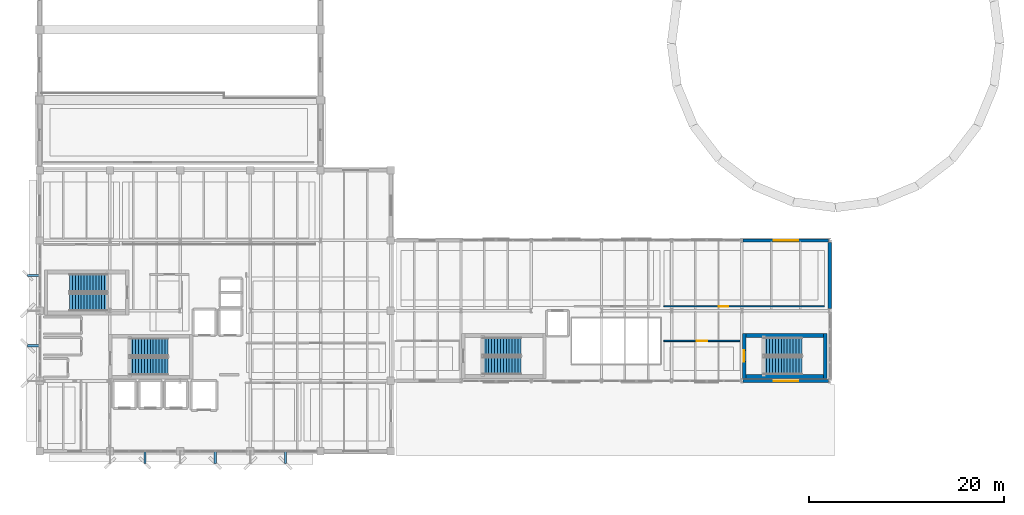
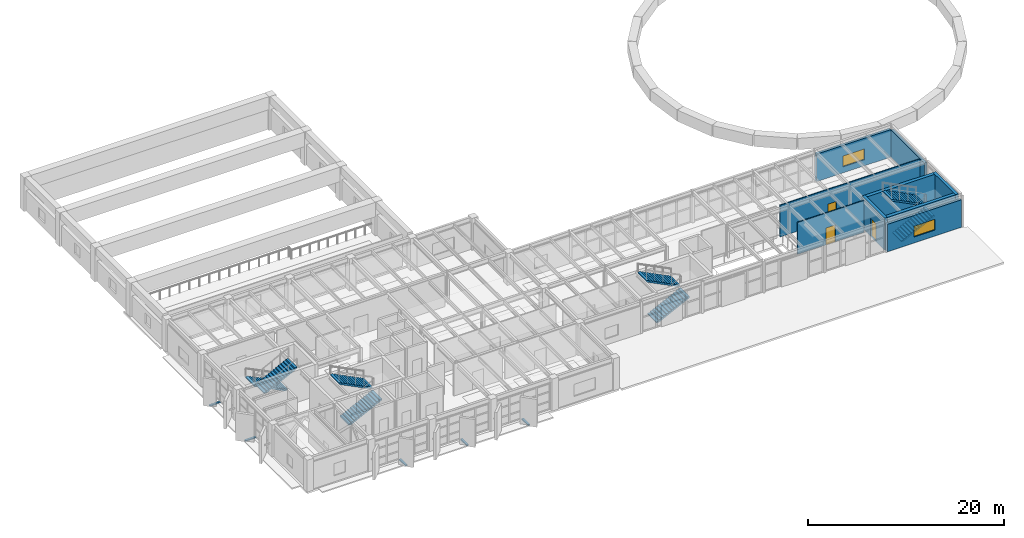
# One storey, part 28 of 37: 9 walls, 8 stair flights, 5 discrete accessories, 3 doors, 2 windows, 5 openings, 4 elements without a shape of their own.
"""IFC4 building model written with IfcOpenShell, lengths in metres."""

from ifc_helpers import new_model, si_unit, direction, frame, frame_2d, origin, origin_2d, place, context, subcontext, project, spatial, polyline, rectangle, outline, extrude, material, layer, layer_set, type_object, element, fill, aggregate, save


model = new_model("IFC4")

# Units and contexts
model_context = context("Model", 3, precision=1e-05, world=origin(), true_north=direction((0.0, 1.0)))
body_context = subcontext(model_context, "Body", "Model", "MODEL_VIEW")
ifc_project = project(units=[si_unit("LENGTHUNIT", "METRE"), si_unit("AREAUNIT", "SQUARE_METRE"), si_unit("VOLUMEUNIT", "CUBIC_METRE"), si_unit("PLANEANGLEUNIT", "RADIAN"), si_unit("MASSUNIT", "GRAM", prefix="KILO")], contexts=[model_context])

# Site, building, storey
site_placement = place(None, origin())
site = spatial("IfcSite", under=ifc_project, at=site_placement, CompositionType="ELEMENT")
building_placement = place(site_placement, origin())
building = spatial("IfcBuilding", under=site, at=building_placement, Name="Kandorven Conservatory and Botanical Research Centre", CompositionType="ELEMENT")
storey_placement = place(building_placement, frame((0.0, 0.0, 9.0)))
storey = spatial("IfcBuildingStorey", under=building, at=storey_placement, Name="L02", CompositionType="ELEMENT", Elevation=9.0)

# Walls
ifc_material_1 = material(Name="Concrete C40/50 (M50)", Category="concrete")
ifc_layer_1 = layer(ifc_material_1, 0.39990234375)
ifc_layer_set_1 = layer_set([ifc_layer_1], Name="Concrete C40/50 (M50)")
wall_type_1 = type_object("IfcWallType", Name="Wall_CW-RC-1", PredefinedType="SHEAR", material=ifc_layer_set_1)
for number, where, z_axis, x_axis, name in (
    (1, (78.39990234375, 13.64501953125, 0.0), (0.0, 0.0, 1.0), (1.0, 0.0, 0.0), "Core stair shear wall CW-RC-1 ST-V3B L02 side A"),
    (2, (78.39990234375, 17.844970703125, 0.0), (0.0, 0.0, 1.0), (1.0, 0.0, 0.0), "Core stair shear wall CW-RC-1 ST-V3B L02 side B"),
):
    element("IfcWall", number, at=place(storey_placement, frame(where, z_axis=z_axis, x_axis=x_axis)), inside=storey, type_object=wall_type_1, Name=name, PredefinedType="SHEAR", context=body_context, shape_type="SweptSolid", body=[
        extrude(rectangle(XDim=7.97998046875, YDim=0.39990234375, at=frame_2d((3.989990234375, 0.0))), origin(), (0.0, 0.0, 1.0), 3.9599609375),
    ])

# Wall, opening, door
ifc_material_2 = material(Name="Concrete C40/50 (M50)", Category="concrete")
ifc_layer_2 = layer(ifc_material_2, 0.35009765625)
ifc_layer_set_2 = layer_set([ifc_layer_2], Name="Concrete C40/50 (M50)")
wall_type_2 = type_object("IfcWallType", Name="Wall_CW-RC-2", PredefinedType="SHEAR", material=ifc_layer_set_2)
wall_1_placement = place(storey_placement, frame((78.22509765625, 13.449951171875, 0.0), z_axis=(0.0, 0.0, 1.0), x_axis=(0.0, 1.0, 0.0)))
wall_1 = element("IfcWall", 3, at=wall_1_placement, inside=storey, type_object=wall_type_2, Name="Core stair shear wall CW-RC-2 ST-V3B L02 entry", PredefinedType="SHEAR", context=body_context, shape_type="SweptSolid", body=[
    extrude(rectangle(XDim=4.590087890625, YDim=0.35009765625, at=frame_2d((2.294921875, 0.0))), origin(), (0.0, 0.0, 1.0), 3.9599609375),
])
opening_1_placement = place(wall_1_placement, frame((1.719970703125, 0.0, 0.0)))
opening_1 = element("IfcOpeningElement", 4, at=opening_1_placement, cuts=wall_1, Name="Opening FD-2", PredefinedType="OPENING", context=body_context, shape_type="SweptSolid", body=[
    extrude(rectangle(XDim=1.14990234375, YDim=2.199951171875, at=frame_2d((0.574951171875, 1.10009765625))), frame((0.0, 0.18505859375, 0.0), z_axis=(0.0, -1.0, 0.0), x_axis=(1.0, 0.0, 0.0)), (0.0, 0.0, 1.0), 0.3701171875),
])
ifc_material_3 = material(Name="Galvanised hollow steel fire door assembly", Category="steel")
door_type_1 = type_object("IfcDoorType", Name="Door_FD-2", OperationType="NOTDEFINED", PredefinedType="DOOR", material=ifc_material_3)
door_1_placement = place(opening_1_placement, origin())
door_1 = element("IfcDoor", 5, at=door_1_placement, inside=storey, type_object=door_type_1, Name="Exit stair fire door FD-2 ST-V3B L02", OperationType="SINGLE_SWING_LEFT", OverallHeight=2.199951171875, OverallWidth=1.14990234375, PredefinedType="DOOR", context=body_context, shape_type="SweptSolid", body=[
    extrude(rectangle(XDim=1.14990234375, YDim=2.199951171875, at=frame_2d((0.574951171875, 1.10009765625))), frame((0.0, 0.02490234375, 0.0), z_axis=(0.0, -1.0, 0.0), x_axis=(1.0, 0.0, 0.0)), (0.0, 0.0, 1.0), 0.050048828125),
])
fill(opening_1, door_1)

# Wall
wall_2_placement = place(storey_placement, frame((86.554931640625, 13.449951171875, 0.0), z_axis=(0.0, 0.0, 1.0), x_axis=(0.0, 1.0, 0.0)))
element("IfcWall", 6, at=wall_2_placement, inside=storey, type_object=wall_type_2, Name="Core stair shear wall CW-RC-2 ST-V3B L02 far", PredefinedType="SHEAR", context=body_context, shape_type="SweptSolid", body=[
    extrude(rectangle(XDim=4.590087890625, YDim=0.35009765625, at=frame_2d((2.294921875, 0.0))), origin(), (0.0, 0.0, 1.0), 3.9599609375),
])

# Wall, opening, window
ifc_material_4 = material(Name="Concrete C32/40 (M40)", Category="concrete")
ifc_layer_3 = layer(ifc_material_4, 0.320068359375)
ifc_layer_set_3 = layer_set([ifc_layer_3], Name="Concrete C32/40 (M40)")
wall_type_3 = type_object("IfcWallType", Name="Wall_EW-03", PredefinedType="STANDARD", material=ifc_layer_set_3)
wall_3_placement = place(storey_placement, frame((78.125, 13.199951171875, 0.0), z_axis=(0.0, 0.0, 1.0), x_axis=(1.0, 0.0, 0.0)))
wall_3 = element("IfcWall", 7, at=wall_3_placement, inside=storey, type_object=wall_type_3, Name="Visitor centre concrete wall EW-03 S L02", PredefinedType="STANDARD", context=body_context, shape_type="SweptSolid", body=[
    extrude(rectangle(XDim=8.75, YDim=0.320068359375, at=frame_2d((4.375, 0.0))), origin(), (0.0, 0.0, 1.0), 3.419921875),
])
opening_2_placement = place(wall_3_placement, frame((3.125, 0.0, 0.75)))
opening_2 = element("IfcOpeningElement", 8, at=opening_2_placement, cuts=wall_3, Name="Opening W-38", PredefinedType="OPENING", context=body_context, shape_type="SweptSolid", body=[
    extrude(rectangle(XDim=2.5, YDim=1.35009765625, at=frame_2d((1.25, 0.675048828125))), frame((0.0, 0.169921875, 0.0), z_axis=(0.0, -1.0, 0.0), x_axis=(1.0, 0.0, 0.0)), (0.0, 0.0, 1.0), 0.340087890625),
])
ifc_material_5 = material(Name="Double-glazed solar-control low-E glass", Category="glass")
window_type = type_object("IfcWindowType", Name="Win_W-38", PartitioningType="DOUBLE_PANEL_VERTICAL", PredefinedType="WINDOW", material=ifc_material_5)
window_1_placement = place(opening_2_placement, origin())
window_1 = element("IfcWindow", 9, at=window_1_placement, inside=storey, type_object=window_type, Name="Visitor wing deep-reveal window W-38", OverallHeight=1.35009765625, OverallWidth=2.5, PartitioningType="SINGLE_PANEL", PredefinedType="WINDOW", context=body_context, shape_type="SweptSolid", body=[
    extrude(rectangle(XDim=2.5, YDim=1.35009765625, at=frame_2d((1.25, 0.675048828125))), frame((0.0, 0.030029296875, 0.0), z_axis=(0.0, -1.0, 0.0), x_axis=(1.0, 0.0, 0.0)), (0.0, 0.0, 1.0), 0.06005859375),
])
fill(opening_2, window_1)

wall_4_placement = place(storey_placement, frame((78.125, 27.60009765625, 0.0), z_axis=(0.0, 0.0, 1.0), x_axis=(1.0, 0.0, 0.0)))
wall_4 = element("IfcWall", 10, at=wall_4_placement, inside=storey, type_object=wall_type_3, Name="Visitor centre concrete wall EW-03 N L02", PredefinedType="STANDARD", context=body_context, shape_type="SweptSolid", body=[
    extrude(rectangle(XDim=8.75, YDim=0.320068359375, at=frame_2d((4.375, 0.0))), origin(), (0.0, 0.0, 1.0), 3.419921875),
])
opening_3_placement = place(wall_4_placement, frame((3.125, 0.0, 0.75)))
opening_3 = element("IfcOpeningElement", 11, at=opening_3_placement, cuts=wall_4, Name="Opening W-38", PredefinedType="OPENING", context=body_context, shape_type="SweptSolid", body=[
    extrude(rectangle(XDim=2.5, YDim=1.35009765625, at=frame_2d((1.25, 0.675048828125))), frame((0.0, 0.169921875, 0.0), z_axis=(0.0, -1.0, 0.0), x_axis=(1.0, 0.0, 0.0)), (0.0, 0.0, 1.0), 0.340087890625),
])
window_2_placement = place(opening_3_placement, origin())
window_2 = element("IfcWindow", 12, at=window_2_placement, inside=storey, type_object=window_type, Name="Visitor wing deep-reveal window W-38", OverallHeight=1.35009765625, OverallWidth=2.5, PartitioningType="SINGLE_PANEL", PredefinedType="WINDOW", context=body_context, shape_type="SweptSolid", body=[
    extrude(rectangle(XDim=2.5, YDim=1.35009765625, at=frame_2d((1.25, 0.675048828125))), frame((0.0, 0.030029296875, 0.0), z_axis=(0.0, -1.0, 0.0), x_axis=(1.0, 0.0, 0.0)), (0.0, 0.0, 1.0), 0.06005859375),
])
fill(opening_3, window_2)

# Wall
wall_5_placement = place(storey_placement, frame((87.0, 20.60009765625, 0.0), z_axis=(0.0, 0.0, 1.0), x_axis=(0.0, 1.0, 0.0)))
element("IfcWall", 13, at=wall_5_placement, inside=storey, type_object=wall_type_3, Name="Visitor wing east end wall EW-03 L02", PredefinedType="STANDARD", context=body_context, shape_type="SweptSolid", body=[
    extrude(rectangle(XDim=6.7998046875, YDim=0.320068359375, at=frame_2d((3.39990234375, 0.0))), origin(), (0.0, 0.0, 1.0), 3.419921875),
])

# Wall, opening, door
ifc_material_6 = material(Name="Fire-rated acoustic gypsum board partition", Category="gypsum")
ifc_layer_4 = layer(ifc_material_6, 0.1259765625)
ifc_layer_set_4 = layer_set([ifc_layer_4], Name="Fire-rated acoustic gypsum board partition")
wall_type_4 = type_object("IfcWallType", Name="Wall_IW-13", PredefinedType="PARTITIONING", material=ifc_layer_set_4)
wall_6_placement = place(storey_placement, frame((70.0, 20.85009765625, 0.0), z_axis=(0.0, 0.0, 1.0), x_axis=(1.0, 0.0, 0.0)))
wall_6 = element("IfcWall", 14, at=wall_6_placement, inside=storey, type_object=wall_type_4, Name="Interior partition wall IW-13 (Botanical Teaching Studio and Herbarium Workshop)", PredefinedType="PARTITIONING", context=body_context, shape_type="SweptSolid", body=[
    extrude(rectangle(XDim=16.449951171875, YDim=0.1259765625, at=frame_2d((8.22509765625, 0.0))), origin(), (0.0, 0.0, 1.0), 3.93994140625),
])
opening_4_placement = place(wall_6_placement, frame((5.639404296875, 0.0, 0.0)))
opening_4 = element("IfcOpeningElement", 15, at=opening_4_placement, cuts=wall_6, Name="Opening D-12", PredefinedType="OPENING", context=body_context, shape_type="SweptSolid", body=[
    extrude(rectangle(XDim=0.97998046875, YDim=2.10009765625, at=frame_2d((0.489990234375, 1.050048828125))), frame((0.0, 0.072998046875, 0.0), z_axis=(0.0, -1.0, 0.0), x_axis=(1.0, 0.0, 0.0)), (0.0, 0.0, 1.0), 0.14599609375),
])
ifc_material_7 = material(Name="Solid core acoustic teak-veneered timber leaf", Category="wood")
door_type_2 = type_object("IfcDoorType", Name="Door_D-12", OperationType="NOTDEFINED", PredefinedType="DOOR", material=ifc_material_7)
door_2_placement = place(opening_4_placement, origin())
door_2 = element("IfcDoor", 16, at=door_2_placement, inside=storey, type_object=door_type_2, Name="Interior door D-12 to Botanical Teaching Studio and Herbarium Workshop", OperationType="SINGLE_SWING_RIGHT", OverallHeight=2.10009765625, OverallWidth=0.97998046875, PredefinedType="DOOR", context=body_context, shape_type="SweptSolid", body=[
    extrude(rectangle(XDim=0.97998046875, YDim=2.10009765625, at=frame_2d((0.489990234375, 1.050048828125))), frame((0.0, 0.02490234375, 0.0), z_axis=(0.0, -1.0, 0.0), x_axis=(1.0, 0.0, 0.0)), (0.0, 0.0, 1.0), 0.050048828125),
])
fill(opening_4, door_2)

ifc_material_8 = material(Name="Fire-rated acoustic gypsum board partition", Category="gypsum")
ifc_layer_5 = layer(ifc_material_8, 0.135986328125)
ifc_layer_set_5 = layer_set([ifc_layer_5], Name="Fire-rated acoustic gypsum board partition")
wall_type_5 = type_object("IfcWallType", Name="Wall_IW-14", PredefinedType="PARTITIONING", material=ifc_layer_set_5)
wall_7_placement = place(storey_placement, frame((70.0, 17.300048828125, 0.0), z_axis=(0.0, 0.0, 1.0), x_axis=(1.0, 0.0, 0.0)))
wall_7 = element("IfcWall", 17, at=wall_7_placement, inside=storey, type_object=wall_type_5, Name="Interior partition wall IW-14 (Botanical Illustration and Microscopy Classroom)", PredefinedType="PARTITIONING", context=body_context, shape_type="SweptSolid", body=[
    extrude(rectangle(XDim=7.800048828125, YDim=0.135986328125, at=frame_2d((3.89990234375, 0.0))), origin(), (0.0, 0.0, 1.0), 3.93994140625),
])
opening_5_placement = place(wall_7_placement, frame((3.360107421875, 0.0, 0.0)))
opening_5 = element("IfcOpeningElement", 18, at=opening_5_placement, cuts=wall_7, Name="Opening D-13", PredefinedType="OPENING", context=body_context, shape_type="SweptSolid", body=[
    extrude(rectangle(XDim=1.080078125, YDim=2.10009765625, at=frame_2d((0.5400390625, 1.050048828125))), frame((0.0, 0.077880859375, 0.0), z_axis=(0.0, -1.0, 0.0), x_axis=(1.0, 0.0, 0.0)), (0.0, 0.0, 1.0), 0.156005859375),
])
ifc_material_9 = material(Name="Solid core acoustic teak-veneered timber leaf", Category="wood")
door_type_3 = type_object("IfcDoorType", Name="Door_D-13", OperationType="NOTDEFINED", PredefinedType="DOOR", material=ifc_material_9)
door_3_placement = place(opening_5_placement, origin())
door_3 = element("IfcDoor", 19, at=door_3_placement, inside=storey, type_object=door_type_3, Name="Interior door D-13 to Botanical Illustration and Microscopy Classroom", OperationType="SINGLE_SWING_LEFT", OverallHeight=2.10009765625, OverallWidth=1.080078125, PredefinedType="DOOR", context=body_context, shape_type="SweptSolid", body=[
    extrude(rectangle(XDim=1.080078125, YDim=2.10009765625, at=frame_2d((0.5400390625, 1.050048828125))), frame((0.0, 0.02490234375, 0.0), z_axis=(0.0, -1.0, 0.0), x_axis=(1.0, 0.0, 0.0)), (0.0, 0.0, 1.0), 0.050048828125),
])
fill(opening_5, door_3)

# Stair, stair flights
ifc_material_10 = material(Name="Concrete C32/40 (M40)", Category="concrete")
stair_type = type_object("IfcStairType", Name="Stair_1820", PredefinedType="HALF_TURN_STAIR", material=ifc_material_10)
stair_1_placement = place(storey_placement, origin())
stair_1 = element("IfcStair", 20, at=stair_1_placement, inside=storey, type_object=stair_type, Name="L02 Tower Fire Stair ST-T1", PredefinedType="HALF_TURN_STAIR")
ifc_material_11 = material(Name="Concrete C32/40 (M40)", Category="concrete")
ifc_layer_6 = layer(ifc_material_11, 0.14990234375)
ifc_layer_set_6 = layer_set([ifc_layer_6], Name="Concrete C32/40 (M40)")
stair_flight_type = type_object("IfcStairFlightType", Name="Flight_1820", PredefinedType="STRAIGHT", material=ifc_layer_set_6)
stair_flight_1_placement = place(storey_placement, frame((15.239990234375, 14.68994140625, 0.0), z_axis=(0.0, 0.0, 1.0), x_axis=(1.0, 0.0, 0.0)))
stair_flight_1 = element("IfcStairFlight", 21, at=stair_flight_1_placement, type_object=stair_flight_type, Name="ST-T1 flight 1", NumberOfRisers=14, NumberOfTreads=13, PredefinedType="STRAIGHT", RiserHeight=0.15, TreadLength=0.3, context=body_context, shape_type="SweptSolid", body=[
    extrude(outline(polyline([(0.0, 0.0), (0.0, 0.14990234375), (0.300048828125, 0.14990234375), (0.300048828125, 0.300048828125), (0.60009765625, 0.300048828125), (0.60009765625, 0.449951171875), (0.89990234375, 0.449951171875), (0.89990234375, 0.60009765625), (1.199951171875, 0.60009765625), (1.199951171875, 0.75), (1.5, 0.75), (1.5, 0.89990234375), (1.800048828125, 0.89990234375), (1.800048828125, 1.050048828125), (2.10009765625, 1.050048828125), (2.10009765625, 1.199951171875), (2.39990234375, 1.199951171875), (2.39990234375, 1.35009765625), (2.699951171875, 1.35009765625), (2.699951171875, 1.5), (3.0, 1.5), (3.0, 1.64990234375), (3.300048828125, 1.64990234375), (3.300048828125, 1.800048828125), (3.60009765625, 1.800048828125), (3.60009765625, 1.949951171875), (3.89990234375, 1.949951171875), (3.89990234375, 2.10009765625), (3.89990234375, 1.782470703125), (0.335205078125, 0.0), (0.0, 0.0)])), frame((0.0, 0.91015625, 0.0), z_axis=(0.0, -1.0, 0.0), x_axis=(1.0, 0.0, 0.0)), (0.0, 0.0, 1.0), 1.820068359375),
])
stair_flight_2_placement = place(storey_placement, frame((19.139404296875, 16.659912109375, 2.10009765625), z_axis=(0.0, 0.0, 1.0), x_axis=(-1.0, 0.0, 0.0)))
stair_flight_2 = element("IfcStairFlight", 22, at=stair_flight_2_placement, type_object=stair_flight_type, Name="ST-T1 flight 2", NumberOfRisers=14, NumberOfTreads=13, PredefinedType="STRAIGHT", RiserHeight=0.15, TreadLength=0.3, context=body_context, shape_type="SweptSolid", body=[
    extrude(outline(polyline([(0.0, 0.0), (0.0, 0.14990234375), (0.300048828125, 0.14990234375), (0.300048828125, 0.300048828125), (0.60009765625, 0.300048828125), (0.60009765625, 0.449951171875), (0.89990234375, 0.449951171875), (0.89990234375, 0.60009765625), (1.199951171875, 0.60009765625), (1.199951171875, 0.75), (1.5, 0.75), (1.5, 0.89990234375), (1.800048828125, 0.89990234375), (1.800048828125, 1.050048828125), (2.10009765625, 1.050048828125), (2.10009765625, 1.199951171875), (2.39990234375, 1.199951171875), (2.39990234375, 1.35009765625), (2.699951171875, 1.35009765625), (2.699951171875, 1.5), (3.0, 1.5), (3.0, 1.64990234375), (3.300048828125, 1.64990234375), (3.300048828125, 1.800048828125), (3.60009765625, 1.800048828125), (3.60009765625, 1.949951171875), (3.89990234375, 1.949951171875), (3.89990234375, 2.10009765625), (3.89990234375, 1.782470703125), (0.335205078125, 0.0), (0.0, 0.0)])), frame((0.0, 0.91015625, 0.0), z_axis=(0.0, -1.0, 0.0), x_axis=(1.0, 0.0, 0.0)), (0.0, 0.0, 1.0), 1.820068359375),
])
aggregate(stair_1, [stair_flight_1, stair_flight_2])

stair_2_placement = place(storey_placement, origin())
stair_2 = element("IfcStair", 23, at=stair_2_placement, inside=storey, type_object=stair_type, Name="L02 Tower Fire Stair ST-T2", PredefinedType="HALF_TURN_STAIR")
stair_flight_3_placement = place(storey_placement, frame((12.9599609375, 23.239990234375, 0.0), z_axis=(0.0, 0.0, 1.0), x_axis=(-1.0, 0.0, 0.0)))
stair_flight_3 = element("IfcStairFlight", 24, at=stair_flight_3_placement, type_object=stair_flight_type, Name="ST-T2 flight 1", NumberOfRisers=14, NumberOfTreads=13, PredefinedType="STRAIGHT", RiserHeight=0.15, TreadLength=0.3, context=body_context, shape_type="SweptSolid", body=[
    extrude(outline(polyline([(0.0, 0.0), (0.0, 0.14990234375), (0.300048828125, 0.14990234375), (0.300048828125, 0.300048828125), (0.60009765625, 0.300048828125), (0.60009765625, 0.449951171875), (0.89990234375, 0.449951171875), (0.89990234375, 0.60009765625), (1.199951171875, 0.60009765625), (1.199951171875, 0.75), (1.5, 0.75), (1.5, 0.89990234375), (1.800048828125, 0.89990234375), (1.800048828125, 1.050048828125), (2.10009765625, 1.050048828125), (2.10009765625, 1.199951171875), (2.39990234375, 1.199951171875), (2.39990234375, 1.35009765625), (2.699951171875, 1.35009765625), (2.699951171875, 1.5), (3.0, 1.5), (3.0, 1.64990234375), (3.300048828125, 1.64990234375), (3.300048828125, 1.800048828125), (3.60009765625, 1.800048828125), (3.60009765625, 1.949951171875), (3.89990234375, 1.949951171875), (3.89990234375, 2.10009765625), (3.89990234375, 1.782470703125), (0.335205078125, 0.0), (0.0, 0.0)])), frame((0.0, 0.91015625, 0.0), z_axis=(0.0, -1.0, 0.0), x_axis=(1.0, 0.0, 0.0)), (0.0, 0.0, 1.0), 1.820068359375),
])
stair_flight_4_placement = place(storey_placement, frame((9.060546875, 21.27001953125, 2.10009765625), z_axis=(0.0, 0.0, 1.0), x_axis=(1.0, 0.0, 0.0)))
stair_flight_4 = element("IfcStairFlight", 25, at=stair_flight_4_placement, type_object=stair_flight_type, Name="ST-T2 flight 2", NumberOfRisers=14, NumberOfTreads=13, PredefinedType="STRAIGHT", RiserHeight=0.15, TreadLength=0.3, context=body_context, shape_type="SweptSolid", body=[
    extrude(outline(polyline([(0.0, 0.0), (0.0, 0.14990234375), (0.300048828125, 0.14990234375), (0.300048828125, 0.300048828125), (0.60009765625, 0.300048828125), (0.60009765625, 0.449951171875), (0.89990234375, 0.449951171875), (0.89990234375, 0.60009765625), (1.199951171875, 0.60009765625), (1.199951171875, 0.75), (1.5, 0.75), (1.5, 0.89990234375), (1.800048828125, 0.89990234375), (1.800048828125, 1.050048828125), (2.10009765625, 1.050048828125), (2.10009765625, 1.199951171875), (2.39990234375, 1.199951171875), (2.39990234375, 1.35009765625), (2.699951171875, 1.35009765625), (2.699951171875, 1.5), (3.0, 1.5), (3.0, 1.64990234375), (3.300048828125, 1.64990234375), (3.300048828125, 1.800048828125), (3.60009765625, 1.800048828125), (3.60009765625, 1.949951171875), (3.89990234375, 1.949951171875), (3.89990234375, 2.10009765625), (3.89990234375, 1.782470703125), (0.335205078125, 0.0), (0.0, 0.0)])), frame((0.0, 0.91015625, 0.0), z_axis=(0.0, -1.0, 0.0), x_axis=(1.0, 0.0, 0.0)), (0.0, 0.0, 1.0), 1.820068359375),
])
aggregate(stair_2, [stair_flight_3, stair_flight_4])

stair_3_placement = place(storey_placement, origin())
stair_3 = element("IfcStair", 26, at=stair_3_placement, inside=storey, type_object=stair_type, Name="L02 Visitor Wing Stair ST-V3A", PredefinedType="HALF_TURN_STAIR")
stair_flight_5_placement = place(storey_placement, frame((51.43994140625, 14.760009765625, 0.0), z_axis=(0.0, 0.0, 1.0), x_axis=(1.0, 0.0, 0.0)))
stair_flight_5 = element("IfcStairFlight", 27, at=stair_flight_5_placement, type_object=stair_flight_type, Name="ST-V3A flight 1", NumberOfRisers=14, NumberOfTreads=13, PredefinedType="STRAIGHT", RiserHeight=0.15, TreadLength=0.3, context=body_context, shape_type="SweptSolid", body=[
    extrude(outline(polyline([(0.0, 0.0), (0.0, 0.14990234375), (0.300048828125, 0.14990234375), (0.300048828125, 0.300048828125), (0.60009765625, 0.300048828125), (0.60009765625, 0.449951171875), (0.89990234375, 0.449951171875), (0.89990234375, 0.60009765625), (1.199951171875, 0.60009765625), (1.199951171875, 0.75), (1.5, 0.75), (1.5, 0.89990234375), (1.800048828125, 0.89990234375), (1.800048828125, 1.050048828125), (2.10009765625, 1.050048828125), (2.10009765625, 1.199951171875), (2.39990234375, 1.199951171875), (2.39990234375, 1.35009765625), (2.699951171875, 1.35009765625), (2.699951171875, 1.5), (3.0, 1.5), (3.0, 1.64990234375), (3.300048828125, 1.64990234375), (3.300048828125, 1.800048828125), (3.60009765625, 1.800048828125), (3.60009765625, 1.949951171875), (3.89990234375, 1.949951171875), (3.89990234375, 2.10009765625), (3.89990234375, 1.782470703125), (0.335205078125, 0.0), (0.0, 0.0)])), frame((0.0, 0.91015625, 0.0), z_axis=(0.0, -1.0, 0.0), x_axis=(1.0, 0.0, 0.0)), (0.0, 0.0, 1.0), 1.820068359375),
])
stair_flight_6_placement = place(storey_placement, frame((55.339599609375, 16.72998046875, 2.10009765625), z_axis=(0.0, 0.0, 1.0), x_axis=(-1.0, 0.0, 0.0)))
stair_flight_6 = element("IfcStairFlight", 28, at=stair_flight_6_placement, type_object=stair_flight_type, Name="ST-V3A flight 2", NumberOfRisers=14, NumberOfTreads=13, PredefinedType="STRAIGHT", RiserHeight=0.15, TreadLength=0.3, context=body_context, shape_type="SweptSolid", body=[
    extrude(outline(polyline([(0.0, 0.0), (0.0, 0.14990234375), (0.300048828125, 0.14990234375), (0.300048828125, 0.300048828125), (0.60009765625, 0.300048828125), (0.60009765625, 0.449951171875), (0.89990234375, 0.449951171875), (0.89990234375, 0.60009765625), (1.199951171875, 0.60009765625), (1.199951171875, 0.75), (1.5, 0.75), (1.5, 0.89990234375), (1.800048828125, 0.89990234375), (1.800048828125, 1.050048828125), (2.10009765625, 1.050048828125), (2.10009765625, 1.199951171875), (2.39990234375, 1.199951171875), (2.39990234375, 1.35009765625), (2.699951171875, 1.35009765625), (2.699951171875, 1.5), (3.0, 1.5), (3.0, 1.64990234375), (3.300048828125, 1.64990234375), (3.300048828125, 1.800048828125), (3.60009765625, 1.800048828125), (3.60009765625, 1.949951171875), (3.89990234375, 1.949951171875), (3.89990234375, 2.10009765625), (3.89990234375, 1.782470703125), (0.335205078125, 0.0), (0.0, 0.0)])), frame((0.0, 0.91015625, 0.0), z_axis=(0.0, -1.0, 0.0), x_axis=(1.0, 0.0, 0.0)), (0.0, 0.0, 1.0), 1.820068359375),
])
aggregate(stair_3, [stair_flight_5, stair_flight_6])

stair_4_placement = place(storey_placement, origin())
stair_4 = element("IfcStair", 29, at=stair_4_placement, inside=storey, type_object=stair_type, Name="L02 Visitor Wing Stair ST-V3B", PredefinedType="HALF_TURN_STAIR")
stair_flight_7_placement = place(storey_placement, frame((80.239990234375, 14.760009765625, 0.0), z_axis=(0.0, 0.0, 1.0), x_axis=(1.0, 0.0, 0.0)))
stair_flight_7 = element("IfcStairFlight", 30, at=stair_flight_7_placement, type_object=stair_flight_type, Name="ST-V3B flight 1", NumberOfRisers=14, NumberOfTreads=13, PredefinedType="STRAIGHT", RiserHeight=0.15, TreadLength=0.3, context=body_context, shape_type="SweptSolid", body=[
    extrude(outline(polyline([(0.0, 0.0), (0.0, 0.14990234375), (0.300048828125, 0.14990234375), (0.300048828125, 0.300048828125), (0.60009765625, 0.300048828125), (0.60009765625, 0.449951171875), (0.89990234375, 0.449951171875), (0.89990234375, 0.60009765625), (1.199951171875, 0.60009765625), (1.199951171875, 0.75), (1.5, 0.75), (1.5, 0.89990234375), (1.800048828125, 0.89990234375), (1.800048828125, 1.050048828125), (2.10009765625, 1.050048828125), (2.10009765625, 1.199951171875), (2.39990234375, 1.199951171875), (2.39990234375, 1.35009765625), (2.699951171875, 1.35009765625), (2.699951171875, 1.5), (3.0, 1.5), (3.0, 1.64990234375), (3.300048828125, 1.64990234375), (3.300048828125, 1.800048828125), (3.60009765625, 1.800048828125), (3.60009765625, 1.949951171875), (3.89990234375, 1.949951171875), (3.89990234375, 2.10009765625), (3.89990234375, 1.782470703125), (0.335205078125, 0.0), (0.0, 0.0)])), frame((0.0, 0.91015625, 0.0), z_axis=(0.0, -1.0, 0.0), x_axis=(1.0, 0.0, 0.0)), (0.0, 0.0, 1.0), 1.820068359375),
])
stair_flight_8_placement = place(storey_placement, frame((84.139404296875, 16.72998046875, 2.10009765625), z_axis=(0.0, 0.0, 1.0), x_axis=(-1.0, 0.0, 0.0)))
stair_flight_8 = element("IfcStairFlight", 31, at=stair_flight_8_placement, type_object=stair_flight_type, Name="ST-V3B flight 2", NumberOfRisers=14, NumberOfTreads=13, PredefinedType="STRAIGHT", RiserHeight=0.15, TreadLength=0.3, context=body_context, shape_type="SweptSolid", body=[
    extrude(outline(polyline([(0.0, 0.0), (0.0, 0.14990234375), (0.300048828125, 0.14990234375), (0.300048828125, 0.300048828125), (0.60009765625, 0.300048828125), (0.60009765625, 0.449951171875), (0.89990234375, 0.449951171875), (0.89990234375, 0.60009765625), (1.199951171875, 0.60009765625), (1.199951171875, 0.75), (1.5, 0.75), (1.5, 0.89990234375), (1.800048828125, 0.89990234375), (1.800048828125, 1.050048828125), (2.10009765625, 1.050048828125), (2.10009765625, 1.199951171875), (2.39990234375, 1.199951171875), (2.39990234375, 1.35009765625), (2.699951171875, 1.35009765625), (2.699951171875, 1.5), (3.0, 1.5), (3.0, 1.64990234375), (3.300048828125, 1.64990234375), (3.300048828125, 1.800048828125), (3.60009765625, 1.800048828125), (3.60009765625, 1.949951171875), (3.89990234375, 1.949951171875), (3.89990234375, 2.10009765625), (3.89990234375, 1.782470703125), (0.335205078125, 0.0), (0.0, 0.0)])), frame((0.0, 0.91015625, 0.0), z_axis=(0.0, -1.0, 0.0), x_axis=(1.0, 0.0, 0.0)), (0.0, 0.0, 1.0), 1.820068359375),
])
aggregate(stair_4, [stair_flight_7, stair_flight_8])

# Discrete accessories
ifc_material_12 = material(Name="Steel S355 (IS 2062 E350)", Category="steel")
discrete_accessory_type = type_object("IfcDiscreteAccessoryType", Name="JaliBracket", PredefinedType="BRACKET", material=ifc_material_12)
for number, where, z_axis, x_axis, name in (
    (32, (16.800048828125, 5.389892578125, -0.1298828125), (0.0, 0.0, 1.0), (1.0, 0.0, 0.0), "Stainless steel fin support bracket BRK-01 #12"),
    (33, (24.0, 5.389892578125, -0.1298828125), (0.0, 0.0, 1.0), (1.0, 0.0, 0.0), "Stainless steel fin support bracket BRK-01 #14"),
    (34, (31.199951171875, 5.389892578125, -0.1298828125), (0.0, 0.0, 1.0), (1.0, 0.0, 0.0), "Stainless steel fin support bracket BRK-01 #16"),
):
    element("IfcDiscreteAccessory", number, at=place(storey_placement, frame(where, z_axis=z_axis, x_axis=x_axis)), inside=storey, type_object=discrete_accessory_type, Name=name, PredefinedType="BRACKET", context=body_context, shape_type="SweptSolid", body=[
        extrude(rectangle(XDim=0.239990234375, YDim=1.280029296875, at=origin_2d()), origin(), (0.0, 0.0, 1.0), 0.139892578125),
    ])
for number, where, z_axis, x_axis, name in (
    (35, (5.389892578125, 16.800048828125, -0.1298828125), (0.0, 0.0, 1.0), (1.0, 0.0, 0.0), "Stainless steel fin support bracket BRK-01 #18"),
    (36, (5.389892578125, 24.0, -0.1298828125), (0.0, 0.0, 1.0), (1.0, 0.0, 0.0), "Stainless steel fin support bracket BRK-01 #20"),
):
    element("IfcDiscreteAccessory", number, at=place(storey_placement, frame(where, z_axis=z_axis, x_axis=x_axis)), inside=storey, type_object=discrete_accessory_type, Name=name, PredefinedType="BRACKET", context=body_context, shape_type="SweptSolid", body=[
        extrude(rectangle(XDim=1.280029296875, YDim=0.239990234375, at=origin_2d()), origin(), (0.0, 0.0, 1.0), 0.139892578125),
    ])

save(model, "model.ifc")
